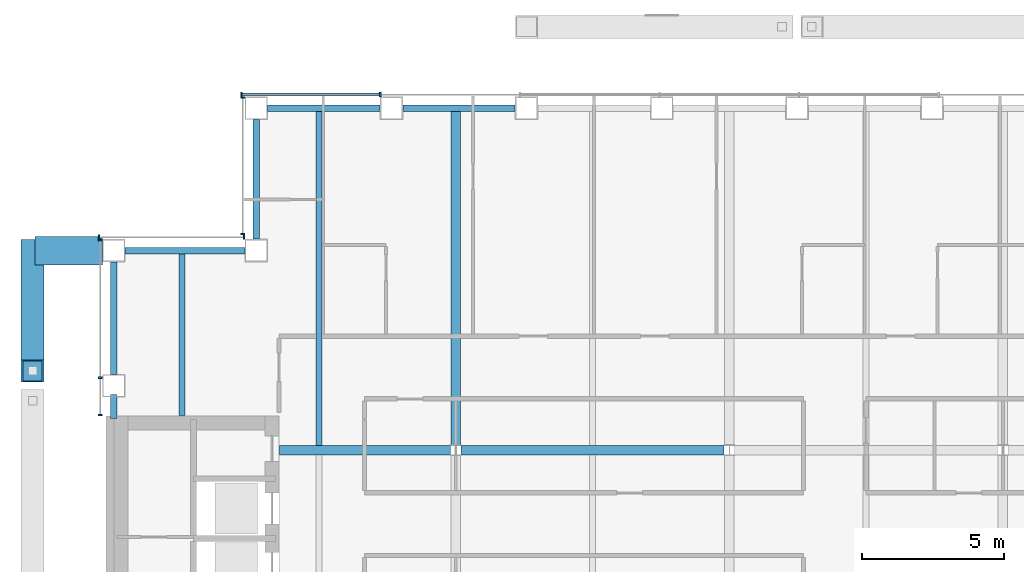
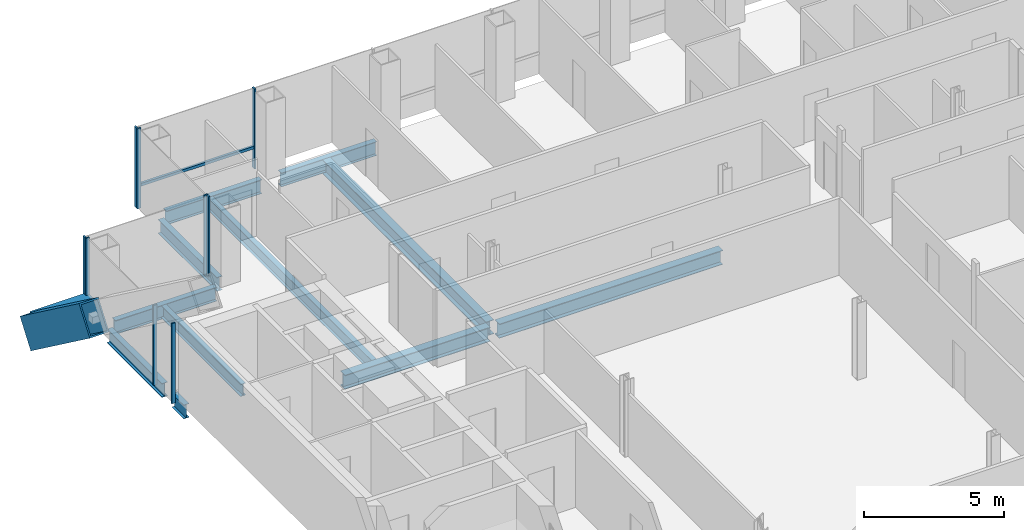
# One storey, part 8 of 18: 12 beams, 11 members, 4 elements without a shape of their own.
"""IFC4 building model written with IfcOpenShell, lengths in metres."""

from ifc_helpers import new_model, si_unit, direction, frame, origin, origin_2d, place, context, subcontext, project, spatial, rectangle, hollow_rectangle, i_section, extrude, material, material_profile, profile_set, type_object, element, aggregate, save


model = new_model("IFC4")

# Units and contexts
model_context = context("Model", 3, precision=1e-05, world=origin(), true_north=direction((0.0, 1.0)))
body_context = subcontext(model_context, "Body", "Model", "MODEL_VIEW")
ifc_project = project(units=[si_unit("LENGTHUNIT", "METRE"), si_unit("AREAUNIT", "SQUARE_METRE"), si_unit("VOLUMEUNIT", "CUBIC_METRE"), si_unit("PLANEANGLEUNIT", "RADIAN"), si_unit("MASSUNIT", "GRAM", prefix="KILO")], contexts=[model_context])

# Site, building, storey
site_placement = place(None, origin())
site = spatial("IfcSite", under=ifc_project, at=site_placement, CompositionType="ELEMENT")
building_placement = place(site_placement, origin())
building = spatial("IfcBuilding", under=site, at=building_placement, Name="Cobrizo Arcos Hotel Tower", CompositionType="ELEMENT")
storey_placement = place(building_placement, frame((0.0, 0.0, 158.5)))
storey = spatial("IfcBuildingStorey", under=building, at=storey_placement, Name="L40", CompositionType="ELEMENT", Elevation=158.5)

# Beam
ifc_material_1 = material(Name="Steel ASTM A572 Grade 50", Category="steel")
ifc_material_profile_1 = material_profile(ifc_material_1, hollow_rectangle(XDim=1.0, YDim=1.0, WallThickness=0.06005859375, at=origin_2d()), Name="BOX 1000X1000X60")
ifc_profile_set_1 = profile_set([ifc_material_profile_1], Name="Steel ASTM A572 Grade 50")
beam_type_1 = type_object("IfcBeamType", Name="BOX 1000X1000X60 brace connector strut", PredefinedType="BEAM", material=ifc_profile_set_1)
beam_1_placement = place(storey_placement, frame((-21.989990234375, 16.60009765625, 0.5), z_axis=(-1.0, 0.0, 0.0), x_axis=(0.0, -1.0, 0.0)))
element("IfcBeam", 1, at=beam_1_placement, inside=storey, type_object=beam_type_1, Name="Perimeter brace stub BS1, zone Z3, west face, offset +16.60 m, L40", PredefinedType="BEAM", context=body_context, shape_type="SweptSolid", body=[
    extrude(hollow_rectangle(XDim=1.0, YDim=1.0, WallThickness=0.06005859375, at=origin_2d()), origin(), (0.0, 0.0, 1.0), 2.380126953125),
])

# Member
ifc_material_profile_2 = material_profile(ifc_material_1, hollow_rectangle(XDim=0.800048828125, YDim=1.300048828125, WallThickness=0.06005859375, at=origin_2d()), Name="BOX 800X1300X60")
ifc_profile_set_2 = profile_set([ifc_material_profile_2], Name="Steel ASTM A572 Grade 50")
member_type_1 = type_object("IfcMemberType", Name="BOX 800X1300X60 perimeter brace", PredefinedType="BRACE", material=ifc_profile_set_2)
member_1_placement = place(storey_placement, frame((-24.449951171875, 16.60009765625, 0.5), z_axis=(0.0, -0.804623858684, 0.593784848271), x_axis=(1.0, 0.0, 0.0)))
element("IfcMember", 2, at=member_1_placement, inside=storey, type_object=member_type_1, Name="Perimeter brace PBR3, zone Z3, west face, no. 08", PredefinedType="BRACE", context=body_context, shape_type="SweptSolid", body=[
    extrude(hollow_rectangle(XDim=0.800048828125, YDim=1.300048828125, WallThickness=0.06005859375, at=origin_2d()), origin(), (0.0, 0.0, 1.0), 5.244384765625),
])

# Curtain wall, members
ifc_material_2 = material(Name="Aluminium 6063-T6 anodised bronze", Category="aluminium")
curtain_wall_type = type_object("IfcCurtainWallType", Name="CW-A guest facade", PredefinedType="NOTDEFINED", material=ifc_material_2)
curtain_wall_1_placement = place(storey_placement, origin())
curtain_wall_1 = element("IfcCurtainWall", 3, at=curtain_wall_1_placement, inside=storey, type_object=curtain_wall_type, Name="CW-A L40 N face", PredefinedType="NOTDEFINED")
ifc_material_profile_3 = material_profile(ifc_material_2, rectangle(XDim=0.14990234375, YDim=0.06005859375, at=origin_2d()), Name="CW-A mullion 150x60")
ifc_profile_set_3 = profile_set([ifc_material_profile_3], Name="Aluminium 6063-T6 anodised bronze")
member_type_2 = type_object("IfcMemberType", Name="CW-A mullion 150x60", PredefinedType="MULLION", material=ifc_profile_set_3)
member_2_placement = place(storey_placement, frame((-12.25, 22.074951171875, 0.0), z_axis=(0.0, 0.0, 1.0), x_axis=(0.0, 1.0, 0.0)))
member_2 = element("IfcMember", 4, at=member_2_placement, type_object=member_type_2, Name="CW-A mullion 7", PredefinedType="MULLION", context=body_context, shape_type="SweptSolid", body=[
    extrude(rectangle(XDim=0.14990234375, YDim=0.06005859375, at=origin_2d()), origin(), (0.0, 0.0, 1.0), 3.5),
])
member_3_placement = place(storey_placement, frame((-17.1201171875, 22.074951171875, 0.0), z_axis=(0.0, 0.0, 1.0), x_axis=(0.0, 1.0, 0.0)))
member_3 = element("IfcMember", 5, at=member_3_placement, type_object=member_type_2, Name="CW-A mullion 8", PredefinedType="MULLION", context=body_context, shape_type="SweptSolid", body=[
    extrude(rectangle(XDim=0.14990234375, YDim=0.06005859375, at=origin_2d()), origin(), (0.0, 0.0, 1.0), 3.5),
])

curtain_wall_2_placement = place(storey_placement, origin())
curtain_wall_2 = element("IfcCurtainWall", 6, at=curtain_wall_2_placement, inside=storey, type_object=curtain_wall_type, Name="CW-A L40 W face", PredefinedType="NOTDEFINED")
member_4_placement = place(storey_placement, frame((-17.074951171875, 21.969970703125, 0.0), z_axis=(0.0, 0.0, 1.0), x_axis=(-1.0, 0.0, 0.0)))
member_4 = element("IfcMember", 7, at=member_4_placement, type_object=member_type_2, Name="CW-A mullion 1", PredefinedType="MULLION", context=body_context, shape_type="SweptSolid", body=[
    extrude(rectangle(XDim=0.14990234375, YDim=0.06005859375, at=origin_2d()), origin(), (0.0, 0.0, 1.0), 3.5),
])
member_5_placement = place(storey_placement, frame((-17.074951171875, 17.179931640625, 0.0), z_axis=(0.0, 0.0, 1.0), x_axis=(-1.0, 0.0, 0.0)))
member_5 = element("IfcMember", 8, at=member_5_placement, type_object=member_type_2, Name="CW-A mullion 2", PredefinedType="MULLION", context=body_context, shape_type="SweptSolid", body=[
    extrude(rectangle(XDim=0.14990234375, YDim=0.06005859375, at=origin_2d()), origin(), (0.0, 0.0, 1.0), 3.5),
])
aggregate(curtain_wall_2, [member_4, member_5])

curtain_wall_3_placement = place(storey_placement, origin())
curtain_wall_3 = element("IfcCurtainWall", 9, at=curtain_wall_3_placement, inside=storey, type_object=curtain_wall_type, Name="CW-A L40 N face", PredefinedType="NOTDEFINED")
member_6_placement = place(storey_placement, frame((-17.030029296875, 17.074951171875, 0.0), z_axis=(0.0, 0.0, 1.0), x_axis=(0.0, 1.0, 0.0)))
member_6 = element("IfcMember", 10, at=member_6_placement, type_object=member_type_2, Name="CW-A mullion 1", PredefinedType="MULLION", context=body_context, shape_type="SweptSolid", body=[
    extrude(rectangle(XDim=0.14990234375, YDim=0.06005859375, at=origin_2d()), origin(), (0.0, 0.0, 1.0), 3.5),
])
member_7_placement = place(storey_placement, frame((-22.1201171875, 17.074951171875, 0.0), z_axis=(0.0, 0.0, 1.0), x_axis=(0.0, 1.0, 0.0)))
member_7 = element("IfcMember", 11, at=member_7_placement, type_object=member_type_2, Name="CW-A mullion 2", PredefinedType="MULLION", context=body_context, shape_type="SweptSolid", body=[
    extrude(rectangle(XDim=0.14990234375, YDim=0.06005859375, at=origin_2d()), origin(), (0.0, 0.0, 1.0), 3.5),
])
aggregate(curtain_wall_3, [member_6, member_7])

curtain_wall_4_placement = place(storey_placement, origin())
curtain_wall_4 = element("IfcCurtainWall", 12, at=curtain_wall_4_placement, inside=storey, type_object=curtain_wall_type, Name="CW-A L40 W face", PredefinedType="NOTDEFINED")
member_8_placement = place(storey_placement, frame((-22.074951171875, 16.969970703125, 0.0), z_axis=(0.0, 0.0, 1.0), x_axis=(-1.0, 0.0, 0.0)))
member_8 = element("IfcMember", 13, at=member_8_placement, type_object=member_type_2, Name="CW-A mullion 1", PredefinedType="MULLION", context=body_context, shape_type="SweptSolid", body=[
    extrude(rectangle(XDim=0.14990234375, YDim=0.06005859375, at=origin_2d()), origin(), (0.0, 0.0, 1.0), 3.5),
])
member_9_placement = place(storey_placement, frame((-22.074951171875, 12.142822265625, 0.0), z_axis=(0.0, 0.0, 1.0), x_axis=(-1.0, 0.0, 0.0)))
member_9 = element("IfcMember", 14, at=member_9_placement, type_object=member_type_2, Name="CW-A mullion 2", PredefinedType="MULLION", context=body_context, shape_type="SweptSolid", body=[
    extrude(rectangle(XDim=0.14990234375, YDim=0.06005859375, at=origin_2d()), origin(), (0.0, 0.0, 1.0), 3.5),
])
member_10_placement = place(storey_placement, frame((-22.074951171875, 10.830078125, 0.0), z_axis=(0.0, 0.0, 1.0), x_axis=(-1.0, 0.0, 0.0)))
member_10 = element("IfcMember", 15, at=member_10_placement, type_object=member_type_2, Name="CW-A mullion 3", PredefinedType="MULLION", context=body_context, shape_type="SweptSolid", body=[
    extrude(rectangle(XDim=0.14990234375, YDim=0.06005859375, at=origin_2d()), origin(), (0.0, 0.0, 1.0), 3.5),
])
aggregate(curtain_wall_4, [member_8, member_9, member_10])

# Member
ifc_material_profile_4 = material_profile(ifc_material_2, rectangle(XDim=0.10009765625, YDim=0.1201171875, at=origin_2d()), Name="CW-A transom 120x100")
ifc_profile_set_4 = profile_set([ifc_material_profile_4], Name="Aluminium 6063-T6 anodised bronze")
member_type_3 = type_object("IfcMemberType", Name="CW-A transom 120x100", PredefinedType="USERDEFINED", material=ifc_profile_set_4)
member_11_placement = place(storey_placement, frame((-12.280029296875, 22.074951171875, 0.929931640625), z_axis=(-1.0, 0.0, 0.0), x_axis=(0.0, -1.0, 0.0)))
member_11 = element("IfcMember", 16, at=member_11_placement, type_object=member_type_3, Name="CW-A transom 1447", ObjectType="TRANSOM", PredefinedType="USERDEFINED", context=body_context, shape_type="SweptSolid", body=[
    extrude(rectangle(XDim=0.10009765625, YDim=0.1201171875, at=origin_2d()), origin(), (0.0, 0.0, 1.0), 4.81005859375),
])

aggregate(curtain_wall_1, [member_2, member_3, member_11])

# Beams
ifc_material_3 = material(Name="Steel ASTM A992 Grade 50", Category="steel")
ifc_material_profile_5 = material_profile(ifc_material_3, i_section(OverallWidth=0.209228515625, OverallDepth=0.533447265625, WebThickness=0.01025390625, FlangeThickness=0.015625, at=origin_2d()), Name="W21X62")
ifc_profile_set_5 = profile_set([ifc_material_profile_5], Name="Steel ASTM A992 Grade 50")
beam_type_2 = type_object("IfcBeamType", Name="W21X62 joist", PredefinedType="JOIST", material=ifc_profile_set_5)
beam_2_placement = place(storey_placement, frame((-19.199951171875, 10.81005859375, -0.416748046875), z_axis=(0.0, 1.0, 0.0), x_axis=(-1.0, 0.0, 0.0)))
element("IfcBeam", 17, at=beam_2_placement, inside=storey, type_object=beam_type_2, Name="Floor joist J1, L40, no. 002", PredefinedType="JOIST", context=body_context, shape_type="SweptSolid", body=[
    extrude(i_section(OverallWidth=0.209228515625, OverallDepth=0.533447265625, WebThickness=0.01025390625, FlangeThickness=0.015625, at=origin_2d()), origin(), (0.0, 0.0, 1.0), 5.699951171875),
])
beam_3_placement = place(storey_placement, frame((-14.39990234375, 9.763916015625, -0.416748046875), z_axis=(0.0, 1.0, 0.0), x_axis=(-1.0, 0.0, 0.0)))
element("IfcBeam", 18, at=beam_3_placement, inside=storey, type_object=beam_type_2, Name="Floor joist J1, L40, no. 006", PredefinedType="JOIST", context=body_context, shape_type="SweptSolid", body=[
    extrude(i_section(OverallWidth=0.209228515625, OverallDepth=0.533447265625, WebThickness=0.01025390625, FlangeThickness=0.015625, at=origin_2d()), origin(), (0.0, 0.0, 1.0), 11.74609375),
])
ifc_material_profile_6 = material_profile(ifc_material_3, i_section(OverallWidth=0.32763671875, OverallDepth=0.622314453125, WebThickness=0.015380859375, FlangeThickness=0.0244140625, at=origin_2d()), Name="W24X131")
ifc_profile_set_6 = profile_set([ifc_material_profile_6], Name="Steel ASTM A992 Grade 50")
beam_type_3 = type_object("IfcBeamType", Name="W24X131 girder", PredefinedType="BEAM", material=ifc_profile_set_6)
beam_4_placement = place(storey_placement, frame((-15.7900390625, 9.60009765625, -0.461181640625), z_axis=(1.0, 0.0, 0.0), x_axis=(0.0, 1.0, 0.0)))
element("IfcBeam", 19, at=beam_4_placement, inside=storey, type_object=beam_type_3, Name="Floor girder G1, L40, no. 009", PredefinedType="BEAM", context=body_context, shape_type="SweptSolid", body=[
    extrude(i_section(OverallWidth=0.32763671875, OverallDepth=0.622314453125, WebThickness=0.015380859375, FlangeThickness=0.0244140625, at=origin_2d()), origin(), (0.0, 0.0, 1.0), 6.00341796875),
])
beam_5_placement = place(storey_placement, frame((-9.413330078125, 9.60009765625, -0.461181640625), z_axis=(1.0, 0.0, 0.0), x_axis=(0.0, 1.0, 0.0)))
element("IfcBeam", 20, at=beam_5_placement, inside=storey, type_object=beam_type_3, Name="Floor girder G1, L40, no. 010", PredefinedType="BEAM", context=body_context, shape_type="SweptSolid", body=[
    extrude(i_section(OverallWidth=0.32763671875, OverallDepth=0.622314453125, WebThickness=0.015380859375, FlangeThickness=0.0244140625, at=origin_2d()), origin(), (0.0, 0.0, 1.0), 9.2265625),
])
beam_6_placement = place(storey_placement, frame((-9.60009765625, 9.78662109375, -0.461181640625), z_axis=(0.0, 1.0, 0.0), x_axis=(-1.0, 0.0, 0.0)))
element("IfcBeam", 21, at=beam_6_placement, inside=storey, type_object=beam_type_3, Name="Floor girder G1, L40, no. 016", PredefinedType="BEAM", context=body_context, shape_type="SweptSolid", body=[
    extrude(i_section(OverallWidth=0.32763671875, OverallDepth=0.622314453125, WebThickness=0.015380859375, FlangeThickness=0.0244140625, at=origin_2d()), origin(), (0.0, 0.0, 1.0), 11.723388671875),
])
ifc_material_profile_7 = material_profile(ifc_material_3, i_section(OverallWidth=0.228271484375, OverallDepth=0.607177734375, WebThickness=0.01123046875, FlangeThickness=0.017333984375, at=origin_2d()), Name="W24X76")
ifc_profile_set_7 = profile_set([ifc_material_profile_7], Name="Steel ASTM A992 Grade 50")
beam_type_4 = type_object("IfcBeamType", Name="W24X76 spandrel", PredefinedType="SPANDREL", material=ifc_profile_set_7)
beam_7_placement = place(storey_placement, frame((-7.513916015625, 21.60009765625, -0.45361328125), z_axis=(-1.0, 0.0, 0.0), x_axis=(0.0, -1.0, 0.0)))
element("IfcBeam", 22, at=beam_7_placement, inside=storey, type_object=beam_type_4, Name="Spandrel beam W24X76, L40, no. 021", PredefinedType="SPANDREL", context=body_context, shape_type="SweptSolid", body=[
    extrude(i_section(OverallWidth=0.228271484375, OverallDepth=0.607177734375, WebThickness=0.01123046875, FlangeThickness=0.017333984375, at=origin_2d()), origin(), (0.0, 0.0, 1.0), 3.943115234375),
])
beam_8_placement = place(storey_placement, frame((-12.257080078125, 21.60009765625, -0.45361328125), z_axis=(-1.0, 0.0, 0.0), x_axis=(0.0, -1.0, 0.0)))
element("IfcBeam", 23, at=beam_8_placement, inside=storey, type_object=beam_type_4, Name="Spandrel beam W24X76, L40, no. 022", PredefinedType="SPANDREL", context=body_context, shape_type="SweptSolid", body=[
    extrude(i_section(OverallWidth=0.228271484375, OverallDepth=0.607177734375, WebThickness=0.01123046875, FlangeThickness=0.017333984375, at=origin_2d()), origin(), (0.0, 0.0, 1.0), 3.94287109375),
])
for number, where, z_axis, x_axis, name in (
    (24, (-16.60009765625, 21.199951171875, -0.45361328125), (0.0, -1.0, 0.0), (1.0, 0.0, 0.0), "Spandrel beam W24X76, L40, no. 023"),
    (25, (-17.0, 16.60009765625, -0.45361328125), (-1.0, 0.0, 0.0), (0.0, -1.0, 0.0), "Spandrel beam W24X76, L40, no. 024"),
):
    element("IfcBeam", number, at=place(storey_placement, frame(where, z_axis=z_axis, x_axis=x_axis)), inside=storey, type_object=beam_type_4, Name=name, PredefinedType="SPANDREL", context=body_context, shape_type="SweptSolid", body=[
        extrude(i_section(OverallWidth=0.228271484375, OverallDepth=0.607177734375, WebThickness=0.01123046875, FlangeThickness=0.017333984375, at=origin_2d()), origin(), (0.0, 0.0, 1.0), 4.199951171875),
    ])
beam_9_placement = place(storey_placement, frame((-21.60009765625, 16.199951171875, -0.45361328125), z_axis=(0.0, -1.0, 0.0), x_axis=(1.0, 0.0, 0.0)))
element("IfcBeam", 26, at=beam_9_placement, inside=storey, type_object=beam_type_4, Name="Spandrel beam W24X76, L40, no. 025", PredefinedType="SPANDREL", context=body_context, shape_type="SweptSolid", body=[
    extrude(i_section(OverallWidth=0.228271484375, OverallDepth=0.607177734375, WebThickness=0.01123046875, FlangeThickness=0.017333984375, at=origin_2d()), origin(), (0.0, 0.0, 1.0), 3.94287109375),
])
beam_10_placement = place(storey_placement, frame((-21.60009765625, 11.556884765625, -0.45361328125), z_axis=(0.0, -1.0, 0.0), x_axis=(1.0, 0.0, 0.0)))
element("IfcBeam", 27, at=beam_10_placement, inside=storey, type_object=beam_type_4, Name="Spandrel beam W24X76, L40, no. 026", PredefinedType="SPANDREL", context=body_context, shape_type="SweptSolid", body=[
    extrude(i_section(OverallWidth=0.228271484375, OverallDepth=0.607177734375, WebThickness=0.01123046875, FlangeThickness=0.017333984375, at=origin_2d()), origin(), (0.0, 0.0, 1.0), 0.846923828125),
])

save(model, "model.ifc")
